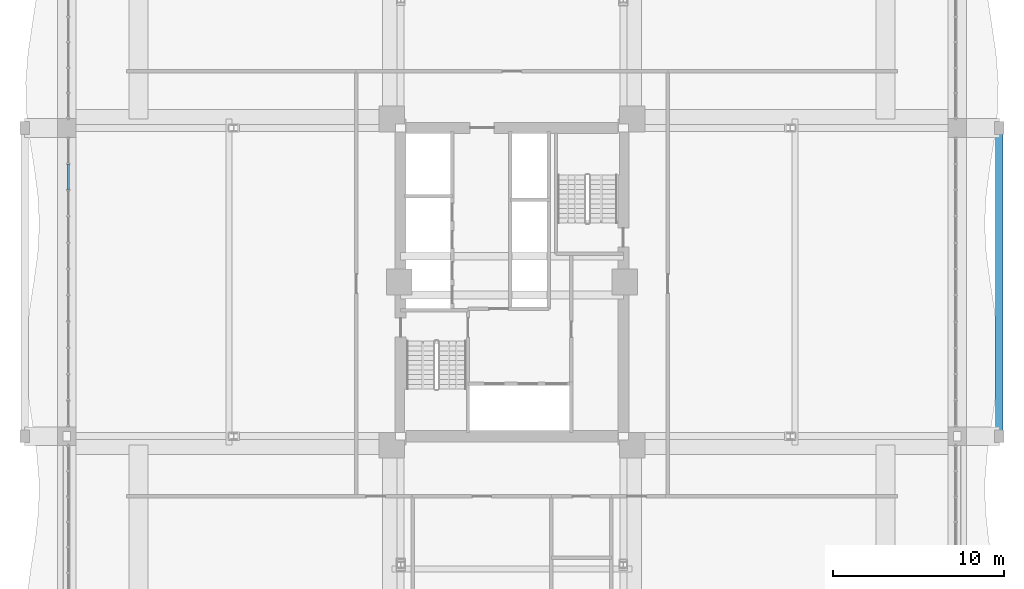
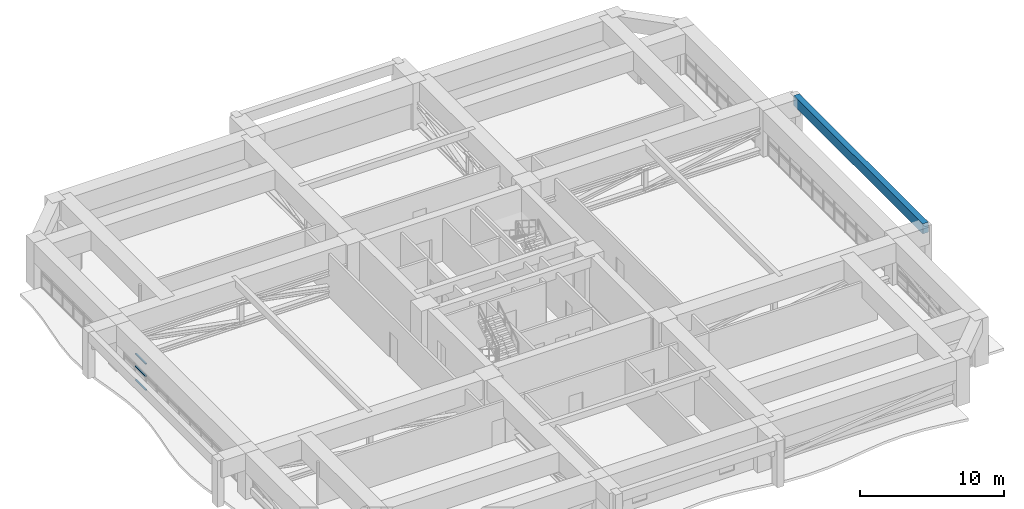
# One storey, part 18 of 35: 3 members, 1 beam, 1 element without a shape of its own.
"""IFC4 building model written with IfcOpenShell, lengths in metres."""

from ifc_helpers import new_model, si_unit, direction, frame, origin, origin_2d, place, context, subcontext, project, spatial, rectangle, hollow_rectangle, extrude, source, transform, mapped, material, layer, layer_set, material_profile, profile_set, type_object, element, aggregate, save


model = new_model("IFC4")

# Units and contexts
model_context = context("Model", 3, precision=1e-05, world=origin(), true_north=direction((0.0, 1.0)))
body_context = subcontext(model_context, "Body", "Model", "MODEL_VIEW")
ifc_project = project(units=[si_unit("LENGTHUNIT", "METRE"), si_unit("AREAUNIT", "SQUARE_METRE"), si_unit("VOLUMEUNIT", "CUBIC_METRE"), si_unit("PLANEANGLEUNIT", "RADIAN"), si_unit("MASSUNIT", "GRAM", prefix="KILO")], contexts=[model_context])

# Site, building, storey
site_placement = place(None, origin())
site = spatial("IfcSite", under=ifc_project, at=site_placement, CompositionType="ELEMENT")
building_placement = place(site_placement, origin())
building = spatial("IfcBuilding", under=site, at=building_placement, Name="Saelheon Loggia Tower", CompositionType="ELEMENT")
storey_placement = place(building_placement, frame((0.0, 0.0, 70.39990234375)))
storey = spatial("IfcBuildingStorey", under=building, at=storey_placement, Name="L22", CompositionType="ELEMENT", Elevation=70.39990234375)

# Beam
ifc_material_1 = material(Name="Precast Concrete C45/55", Category="concrete")
ifc_material_profile_1 = material_profile(ifc_material_1, rectangle(XDim=0.449951171875, YDim=0.85009765625, at=origin_2d()), Name="RC-450x850")
ifc_profile_set_1 = profile_set([ifc_material_profile_1], Name="Precast Concrete C45/55")
beam_type = type_object("IfcBeamType", Name="Beam_LoggiaSpandrel_RC450x850", PredefinedType="SPANDREL", material=ifc_profile_set_1)
shared_shape_1 = source(origin(), body_context, "Body", "SweptSolid", [
    extrude(rectangle(XDim=0.449951171875, YDim=0.85009765625, at=origin_2d()), origin(), (0.0, 0.0, 1.0), 18.0),
])
beam_placement = place(storey_placement, frame((66.449951171875, 18.0, 3.525146484375), z_axis=(0.0, 1.0, 0.0), x_axis=(-1.0, 0.0, 0.0)))
element("IfcBeam", 1, at=beam_placement, inside=storey, type_object=beam_type, Name="L22 Loggia Spandrel Beam E", PredefinedType="SPANDREL", context=body_context, shape_type="MappedRepresentation", body=[
    mapped(shared_shape_1, transform((0.0, 0.0, 0.0), scale=1.0)),
])

# Curtain wall, members
ifc_material_2 = material(Name="Anodised Aluminium Acoustic Louvre Curtain Wall", Category="aluminium")
ifc_layer = layer(ifc_material_2, 0.179931640625)
ifc_layer_set = layer_set([ifc_layer], Name="Anodised Aluminium Acoustic Louvre Curtain Wall")
curtain_wall_type = type_object("IfcCurtainWallType", Name="CW_RefugeAcoustic", PredefinedType="NOTDEFINED", material=ifc_layer_set)
curtain_wall_placement = place(storey_placement, origin())
curtain_wall = element("IfcCurtainWall", 2, at=curtain_wall_placement, inside=storey, type_object=curtain_wall_type, Name="L22 W Refuge Acoustic Curtain Wall 2", PredefinedType="NOTDEFINED")
ifc_material_3 = material(Name="Anodised Aluminium 6063-T6", Category="aluminium")
ifc_material_profile_2 = material_profile(ifc_material_3, hollow_rectangle(XDim=0.06494140625, YDim=0.139892578125, WallThickness=0.00390625, at=origin_2d()), Name="RHS-140x65x4")
ifc_profile_set_2 = profile_set([ifc_material_profile_2], Name="Anodised Aluminium 6063-T6")
member_type = type_object("IfcMemberType", Name="CW_RefugeAcoustic_Transom", PredefinedType="USERDEFINED", material=ifc_profile_set_2)
shared_shape_2 = source(origin(), body_context, "Body", "SweptSolid", [
    extrude(hollow_rectangle(XDim=0.06494140625, YDim=0.139892578125, WallThickness=0.00390625, at=origin_2d()), origin(), (0.0, 0.0, 1.0), 1.471435546875),
])
member_1_placement = place(storey_placement, frame((12.10009765625, 32.40966796875, 0.03271484375), z_axis=(0.0, 1.0, 0.0), x_axis=(0.0, 0.0, 1.0)))
member_1 = element("IfcMember", 3, at=member_1_placement, type_object=member_type, Name="CW5 transom 10.1", ObjectType="TRANSOM", PredefinedType="USERDEFINED", context=body_context, shape_type="MappedRepresentation", body=[
    mapped(shared_shape_2, transform((0.0, 0.0, 0.0), scale=1.0)),
])
member_2_placement = place(storey_placement, frame((12.10009765625, 32.40966796875, 1.2001953125), z_axis=(0.0, 1.0, 0.0), x_axis=(0.0, 0.0, 1.0)))
member_2 = element("IfcMember", 4, at=member_2_placement, type_object=member_type, Name="CW5 transom 10.2", ObjectType="TRANSOM", PredefinedType="USERDEFINED", context=body_context, shape_type="MappedRepresentation", body=[
    mapped(shared_shape_2, transform((0.0, 0.0, 0.0), scale=1.0)),
])
member_3_placement = place(storey_placement, frame((12.10009765625, 32.40966796875, 2.257568359375), z_axis=(0.0, 1.0, 0.0), x_axis=(0.0, 0.0, 1.0)))
member_3 = element("IfcMember", 5, at=member_3_placement, type_object=member_type, Name="CW5 transom 10.3", ObjectType="TRANSOM", PredefinedType="USERDEFINED", context=body_context, shape_type="MappedRepresentation", body=[
    mapped(shared_shape_2, transform((0.0, 0.0, 0.0), scale=1.0)),
])
aggregate(curtain_wall, [member_1, member_2, member_3])

save(model, "model.ifc")
